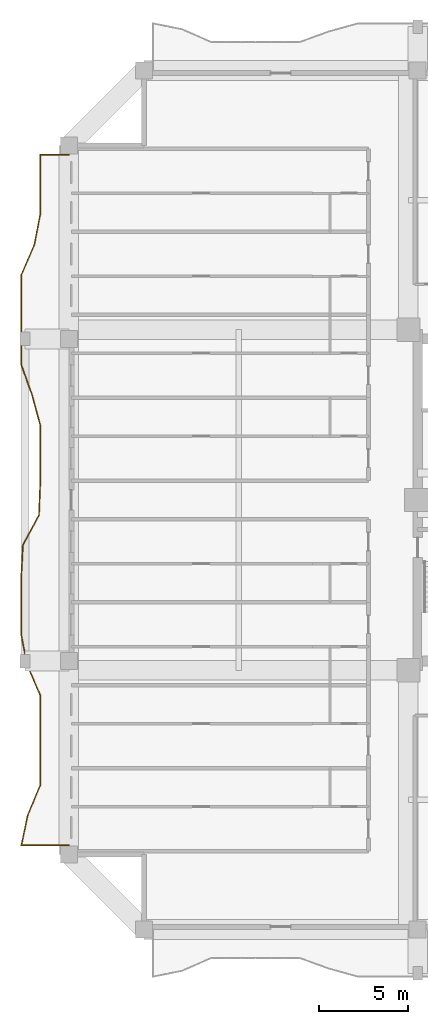
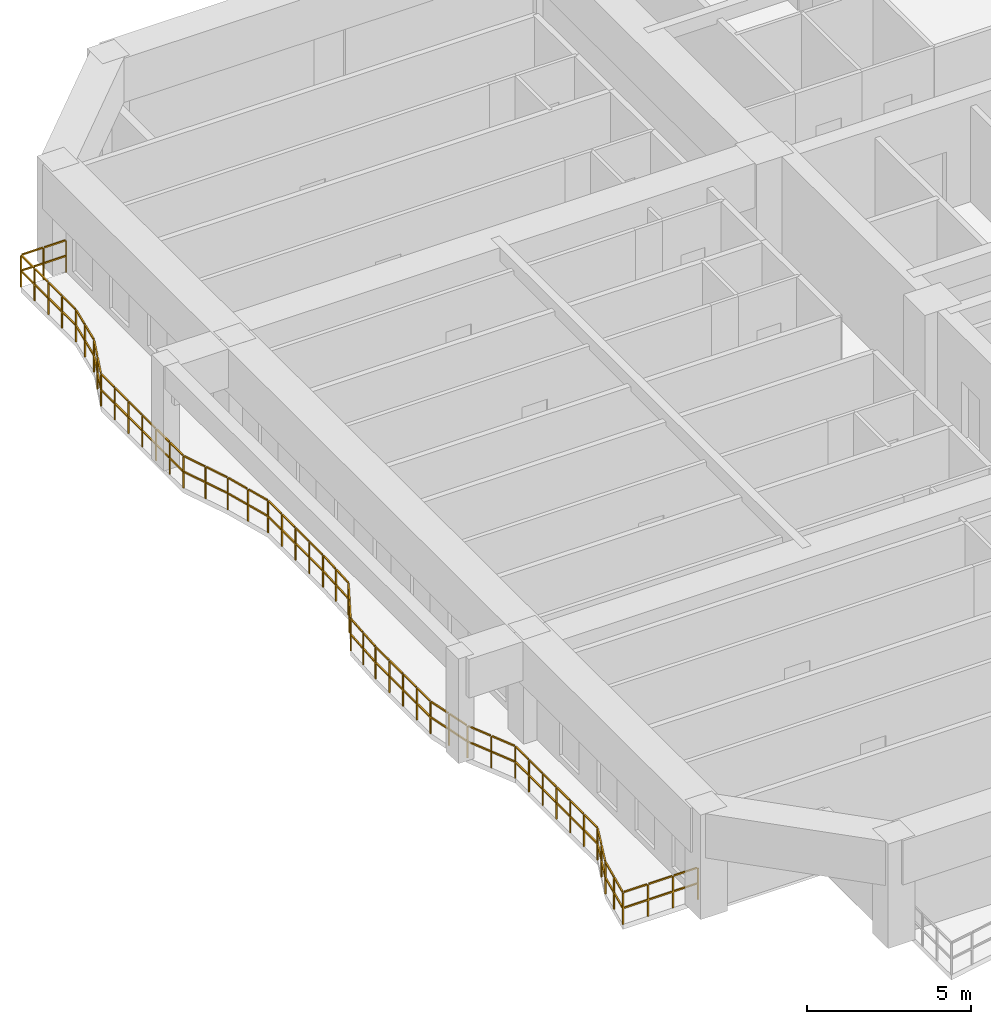
# One storey, part 10 of 13: 1 railing.
"""IFC4 building model written with IfcOpenShell, lengths in metres."""

from ifc_helpers import new_model, si_unit, direction, frame, origin, origin_2d, place, context, subcontext, project, spatial, rectangle, extrude, material, type_object, element, save


model = new_model("IFC4")

# Units and contexts
model_context = context("Model", 3, precision=1e-05, world=origin(), true_north=direction((0.0, 1.0)))
body_context = subcontext(model_context, "Body", "Model", "MODEL_VIEW")
ifc_project = project(units=[si_unit("LENGTHUNIT", "METRE"), si_unit("AREAUNIT", "SQUARE_METRE"), si_unit("VOLUMEUNIT", "CUBIC_METRE"), si_unit("PLANEANGLEUNIT", "RADIAN"), si_unit("MASSUNIT", "GRAM", prefix="KILO")], contexts=[model_context])

# Site, building, storey
site_placement = place(None, origin())
site = spatial("IfcSite", under=ifc_project, at=site_placement, CompositionType="ELEMENT")
building_placement = place(site_placement, origin())
building = spatial("IfcBuilding", under=site, at=building_placement, Name="Saelheon Loggia Tower", CompositionType="ELEMENT")
storey_placement = place(building_placement, frame((0.0, 0.0, 122.85009765625)))
storey = spatial("IfcBuildingStorey", under=building, at=storey_placement, Name="L39", CompositionType="ELEMENT", Elevation=122.85009765625)

# Railing
ifc_material = material(Name="Architectural Precast Concrete and Laminated Glass Guard", Category="concrete")
railing_type = type_object("IfcRailingType", Name="Guard_Loggia_RL_LOG", PredefinedType="BALUSTRADE", material=ifc_material)
railing_placement = place(storey_placement, frame((12.0, 46.300048828125, 0.0)))
element("IfcRailing", 1, at=railing_placement, inside=storey, type_object=railing_type, Name="L39 West Loggia Balustrade", PredefinedType="BALUSTRADE", context=body_context, shape_type="SweptSolid", body=[
    extrude(rectangle(XDim=0.048095703125, YDim=0.048095703125, at=origin_2d()), frame((-0.033203125, 0.0, 1.19580078125), z_axis=(-1.0, 0.0, 0.0), x_axis=(0.0, -1.0, 0.0)), (0.0, 0.0, 1.0), 0.733642578125),
    extrude(rectangle(XDim=0.048095703125, YDim=0.048095703125, at=origin_2d()), frame((-0.033203125, 0.0, 0.60986328125), z_axis=(-1.0, 0.0, 0.0), x_axis=(0.0, -1.0, 0.0)), (0.0, 0.0, 1.0), 0.733642578125),
    extrude(rectangle(XDim=0.048095703125, YDim=0.048095703125, at=origin_2d()), frame((-0.833251953125, 0.0, 1.19580078125), z_axis=(-1.0, 0.0, 0.0), x_axis=(0.0, -1.0, 0.0)), (0.0, 0.0, 1.0), 0.733642578125),
    extrude(rectangle(XDim=0.048095703125, YDim=0.048095703125, at=origin_2d()), frame((-0.833251953125, 0.0, 0.60986328125), z_axis=(-1.0, 0.0, 0.0), x_axis=(0.0, -1.0, 0.0)), (0.0, 0.0, 1.0), 0.733642578125),
    extrude(rectangle(XDim=0.048095703125, YDim=0.048095703125, at=origin_2d()), frame((-1.60009765625, -0.033203125, 1.19580078125), z_axis=(0.0, -1.0, 0.0), x_axis=(1.0, 0.0, 0.0)), (0.0, 0.0, 1.0), 0.772705078125),
    extrude(rectangle(XDim=0.048095703125, YDim=0.048095703125, at=origin_2d()), frame((-1.60009765625, -0.033203125, 0.60986328125), z_axis=(0.0, -1.0, 0.0), x_axis=(1.0, 0.0, 0.0)), (0.0, 0.0, 1.0), 0.772705078125),
    extrude(rectangle(XDim=0.048095703125, YDim=0.048095703125, at=origin_2d()), frame((-1.60009765625, -0.87255859375, 1.19580078125), z_axis=(0.0, -1.0, 0.0), x_axis=(1.0, 0.0, 0.0)), (0.0, 0.0, 1.0), 0.772705078125),
    extrude(rectangle(XDim=0.048095703125, YDim=0.048095703125, at=origin_2d()), frame((-1.60009765625, -0.87255859375, 0.60986328125), z_axis=(0.0, -1.0, 0.0), x_axis=(1.0, 0.0, 0.0)), (0.0, 0.0, 1.0), 0.772705078125),
    extrude(rectangle(XDim=0.048095703125, YDim=0.048095703125, at=origin_2d()), frame((-1.60009765625, -1.711669921875, 1.19580078125), z_axis=(0.0, -1.0, 0.0), x_axis=(1.0, 0.0, 0.0)), (0.0, 0.0, 1.0), 0.7724609375),
    extrude(rectangle(XDim=0.048095703125, YDim=0.048095703125, at=origin_2d()), frame((-1.60009765625, -1.711669921875, 0.60986328125), z_axis=(0.0, -1.0, 0.0), x_axis=(1.0, 0.0, 0.0)), (0.0, 0.0, 1.0), 0.7724609375),
    extrude(rectangle(XDim=0.048095703125, YDim=0.048095703125, at=origin_2d()), frame((-1.60009765625, -2.55078125, 1.19580078125), z_axis=(0.0, -1.0, 0.0), x_axis=(1.0, 0.0, 0.0)), (0.0, 0.0, 1.0), 0.7724609375),
    extrude(rectangle(XDim=0.048095703125, YDim=0.048095703125, at=origin_2d()), frame((-1.60009765625, -2.55078125, 0.60986328125), z_axis=(0.0, -1.0, 0.0), x_axis=(1.0, 0.0, 0.0)), (0.0, 0.0, 1.0), 0.7724609375),
    extrude(rectangle(XDim=0.048095703125, YDim=0.048095703125, at=origin_2d()), frame((-1.6064453125, -3.38916015625, 1.19580078125), z_axis=(-0.190208387004, -0.981743739228, 0.0), x_axis=(0.981743739228, -0.190208387004, 0.0)), (0.0, 0.0, 1.0), 0.788330078125),
    extrude(rectangle(XDim=0.048095703125, YDim=0.048095703125, at=origin_2d()), frame((-1.6064453125, -3.38916015625, 0.60986328125), z_axis=(-0.190208387004, -0.981743739228, 0.0), x_axis=(0.981743739228, -0.190208387004, 0.0)), (0.0, 0.0, 1.0), 0.788330078125),
    extrude(rectangle(XDim=0.048095703125, YDim=0.048095703125, at=origin_2d()), frame((-1.76904296875, -4.228271484375, 1.19580078125), z_axis=(-0.190208387004, -0.981743739228, 0.0), x_axis=(0.981743739228, -0.190208387004, 0.0)), (0.0, 0.0, 1.0), 0.788330078125),
    extrude(rectangle(XDim=0.048095703125, YDim=0.048095703125, at=origin_2d()), frame((-1.76904296875, -4.228271484375, 0.60986328125), z_axis=(-0.190208387004, -0.981743739228, 0.0), x_axis=(0.981743739228, -0.190208387004, 0.0)), (0.0, 0.0, 1.0), 0.788330078125),
    extrude(rectangle(XDim=0.048095703125, YDim=0.048095703125, at=origin_2d()), frame((-1.9384765625, -5.0654296875, 1.19580078125), z_axis=(-0.396400198959, -0.918077819286, 0.0), x_axis=(0.918077819286, -0.396400198959, 0.0)), (0.0, 0.0, 1.0), 0.847412109375),
    extrude(rectangle(XDim=0.048095703125, YDim=0.048095703125, at=origin_2d()), frame((-1.9384765625, -5.0654296875, 0.60986328125), z_axis=(-0.396400198959, -0.918077819286, 0.0), x_axis=(0.918077819286, -0.396400198959, 0.0)), (0.0, 0.0, 1.0), 0.847412109375),
    extrude(rectangle(XDim=0.048095703125, YDim=0.048095703125, at=origin_2d()), frame((-2.30078125, -5.904541015625, 1.19580078125), z_axis=(-0.396400198959, -0.918077819286, 0.0), x_axis=(0.918077819286, -0.396400198959, 0.0)), (0.0, 0.0, 1.0), 0.847412109375),
    extrude(rectangle(XDim=0.048095703125, YDim=0.048095703125, at=origin_2d()), frame((-2.30078125, -5.904541015625, 0.60986328125), z_axis=(-0.396400198959, -0.918077819286, 0.0), x_axis=(0.918077819286, -0.396400198959, 0.0)), (0.0, 0.0, 1.0), 0.847412109375),
    extrude(rectangle(XDim=0.048095703125, YDim=0.048095703125, at=origin_2d()), frame((-2.64990234375, -6.746337890625, 1.19580078125), z_axis=(0.0, -1.0, 0.0), x_axis=(1.0, 0.0, 0.0)), (0.0, 0.0, 1.0), 0.772705078125),
    extrude(rectangle(XDim=0.048095703125, YDim=0.048095703125, at=origin_2d()), frame((-2.64990234375, -6.746337890625, 0.60986328125), z_axis=(0.0, -1.0, 0.0), x_axis=(1.0, 0.0, 0.0)), (0.0, 0.0, 1.0), 0.772705078125),
    extrude(rectangle(XDim=0.048095703125, YDim=0.048095703125, at=origin_2d()), frame((-2.64990234375, -7.58544921875, 1.19580078125), z_axis=(0.0, -1.0, 0.0), x_axis=(1.0, 0.0, 0.0)), (0.0, 0.0, 1.0), 0.772705078125),
    extrude(rectangle(XDim=0.048095703125, YDim=0.048095703125, at=origin_2d()), frame((-2.64990234375, -7.58544921875, 0.60986328125), z_axis=(0.0, -1.0, 0.0), x_axis=(1.0, 0.0, 0.0)), (0.0, 0.0, 1.0), 0.772705078125),
    extrude(rectangle(XDim=0.048095703125, YDim=0.048095703125, at=origin_2d()), frame((-2.64990234375, -8.424560546875, 1.19580078125), z_axis=(0.0, -1.0, 0.0), x_axis=(1.0, 0.0, 0.0)), (0.0, 0.0, 1.0), 0.772705078125),
    extrude(rectangle(XDim=0.048095703125, YDim=0.048095703125, at=origin_2d()), frame((-2.64990234375, -8.424560546875, 0.60986328125), z_axis=(0.0, -1.0, 0.0), x_axis=(1.0, 0.0, 0.0)), (0.0, 0.0, 1.0), 0.772705078125),
    extrude(rectangle(XDim=0.048095703125, YDim=0.048095703125, at=origin_2d()), frame((-2.64990234375, -9.263671875, 1.19580078125), z_axis=(0.0, -1.0, 0.0), x_axis=(1.0, 0.0, 0.0)), (0.0, 0.0, 1.0), 0.772705078125),
    extrude(rectangle(XDim=0.048095703125, YDim=0.048095703125, at=origin_2d()), frame((-2.64990234375, -9.263671875, 0.60986328125), z_axis=(0.0, -1.0, 0.0), x_axis=(1.0, 0.0, 0.0)), (0.0, 0.0, 1.0), 0.772705078125),
    extrude(rectangle(XDim=0.048095703125, YDim=0.048095703125, at=origin_2d()), frame((-2.64990234375, -10.102783203125, 1.19580078125), z_axis=(0.0, -1.0, 0.0), x_axis=(1.0, 0.0, 0.0)), (0.0, 0.0, 1.0), 0.772705078125),
    extrude(rectangle(XDim=0.048095703125, YDim=0.048095703125, at=origin_2d()), frame((-2.64990234375, -10.102783203125, 0.60986328125), z_axis=(0.0, -1.0, 0.0), x_axis=(1.0, 0.0, 0.0)), (0.0, 0.0, 1.0), 0.772705078125),
    extrude(rectangle(XDim=0.048095703125, YDim=0.048095703125, at=origin_2d()), frame((-2.64990234375, -10.94189453125, 1.19580078125), z_axis=(0.0, -1.0, 0.0), x_axis=(1.0, 0.0, 0.0)), (0.0, 0.0, 1.0), 0.772705078125),
    extrude(rectangle(XDim=0.048095703125, YDim=0.048095703125, at=origin_2d()), frame((-2.64990234375, -10.94189453125, 0.60986328125), z_axis=(0.0, -1.0, 0.0), x_axis=(1.0, 0.0, 0.0)), (0.0, 0.0, 1.0), 0.772705078125),
    extrude(rectangle(XDim=0.048095703125, YDim=0.048095703125, at=origin_2d()), frame((-2.638671875, -11.779052734375, 1.19580078125), z_axis=(0.334468754842, -0.942406839976, 0.0), x_axis=(0.942406839976, 0.334468754842, 0.0)), (0.0, 0.0, 1.0), 0.823974609375),
    extrude(rectangle(XDim=0.048095703125, YDim=0.048095703125, at=origin_2d()), frame((-2.638671875, -11.779052734375, 0.60986328125), z_axis=(0.334468754842, -0.942406839976, 0.0), x_axis=(0.942406839976, 0.334468754842, 0.0)), (0.0, 0.0, 1.0), 0.823974609375),
    extrude(rectangle(XDim=0.048095703125, YDim=0.048095703125, at=origin_2d()), frame((-2.3408203125, -12.618408203125, 1.19580078125), z_axis=(0.334468754842, -0.942406839976, 0.0), x_axis=(0.942406839976, 0.334468754842, 0.0)), (0.0, 0.0, 1.0), 0.823974609375),
    extrude(rectangle(XDim=0.048095703125, YDim=0.048095703125, at=origin_2d()), frame((-2.3408203125, -12.618408203125, 0.60986328125), z_axis=(0.334468754842, -0.942406839976, 0.0), x_axis=(0.942406839976, 0.334468754842, 0.0)), (0.0, 0.0, 1.0), 0.823974609375),
    extrude(rectangle(XDim=0.048095703125, YDim=0.048095703125, at=origin_2d()), frame((-2.04541015625, -13.458251953125, 1.19580078125), z_axis=(0.261227378057, -0.965277295368, 0.0), x_axis=(0.965277295368, 0.261227378057, 0.0)), (0.0, 0.0, 1.0), 0.802734375),
    extrude(rectangle(XDim=0.048095703125, YDim=0.048095703125, at=origin_2d()), frame((-2.04541015625, -13.458251953125, 0.60986328125), z_axis=(0.261227378057, -0.965277295368, 0.0), x_axis=(0.965277295368, 0.261227378057, 0.0)), (0.0, 0.0, 1.0), 0.802734375),
    extrude(rectangle(XDim=0.048095703125, YDim=0.048095703125, at=origin_2d()), frame((-1.818359375, -14.29736328125, 1.19580078125), z_axis=(0.261227378057, -0.965277295368, 0.0), x_axis=(0.965277295368, 0.261227378057, 0.0)), (0.0, 0.0, 1.0), 0.802734375),
    extrude(rectangle(XDim=0.048095703125, YDim=0.048095703125, at=origin_2d()), frame((-1.818359375, -14.29736328125, 0.60986328125), z_axis=(0.261227378057, -0.965277295368, 0.0), x_axis=(0.965277295368, 0.261227378057, 0.0)), (0.0, 0.0, 1.0), 0.802734375),
    extrude(rectangle(XDim=0.048095703125, YDim=0.048095703125, at=origin_2d()), frame((-1.60009765625, -15.137451171875, 1.19580078125), z_axis=(0.0, -1.0, 0.0), x_axis=(1.0, 0.0, 0.0)), (0.0, 0.0, 1.0), 0.772705078125),
    extrude(rectangle(XDim=0.048095703125, YDim=0.048095703125, at=origin_2d()), frame((-1.60009765625, -15.137451171875, 0.60986328125), z_axis=(0.0, -1.0, 0.0), x_axis=(1.0, 0.0, 0.0)), (0.0, 0.0, 1.0), 0.772705078125),
    extrude(rectangle(XDim=0.048095703125, YDim=0.048095703125, at=origin_2d()), frame((-1.60009765625, -15.976806640625, 1.19580078125), z_axis=(0.0, -1.0, 0.0), x_axis=(1.0, 0.0, 0.0)), (0.0, 0.0, 1.0), 0.772705078125),
    extrude(rectangle(XDim=0.048095703125, YDim=0.048095703125, at=origin_2d()), frame((-1.60009765625, -15.976806640625, 0.60986328125), z_axis=(0.0, -1.0, 0.0), x_axis=(1.0, 0.0, 0.0)), (0.0, 0.0, 1.0), 0.772705078125),
    extrude(rectangle(XDim=0.048095703125, YDim=0.048095703125, at=origin_2d()), frame((-1.60009765625, -16.81591796875, 1.19580078125), z_axis=(0.0, -1.0, 0.0), x_axis=(1.0, 0.0, 0.0)), (0.0, 0.0, 1.0), 0.772705078125),
    extrude(rectangle(XDim=0.048095703125, YDim=0.048095703125, at=origin_2d()), frame((-1.60009765625, -16.81591796875, 0.60986328125), z_axis=(0.0, -1.0, 0.0), x_axis=(1.0, 0.0, 0.0)), (0.0, 0.0, 1.0), 0.772705078125),
    extrude(rectangle(XDim=0.048095703125, YDim=0.048095703125, at=origin_2d()), frame((-1.60009765625, -17.655029296875, 1.19580078125), z_axis=(0.0, -1.0, 0.0), x_axis=(1.0, 0.0, 0.0)), (0.0, 0.0, 1.0), 0.772705078125),
    extrude(rectangle(XDim=0.048095703125, YDim=0.048095703125, at=origin_2d()), frame((-1.60009765625, -17.655029296875, 0.60986328125), z_axis=(0.0, -1.0, 0.0), x_axis=(1.0, 0.0, 0.0)), (0.0, 0.0, 1.0), 0.772705078125),
    extrude(rectangle(XDim=0.048095703125, YDim=0.048095703125, at=origin_2d()), frame((-1.601318359375, -18.494140625, 1.19580078125), z_axis=(-0.039103035271, -0.999235183844, 0.0), x_axis=(0.999235183844, -0.039103035271, 0.0)), (0.0, 0.0, 1.0), 0.773193359375),
    extrude(rectangle(XDim=0.048095703125, YDim=0.048095703125, at=origin_2d()), frame((-1.601318359375, -18.494140625, 0.60986328125), z_axis=(-0.039103035271, -0.999235183844, 0.0), x_axis=(0.999235183844, -0.039103035271, 0.0)), (0.0, 0.0, 1.0), 0.773193359375),
    extrude(rectangle(XDim=0.048095703125, YDim=0.048095703125, at=origin_2d()), frame((-1.63427734375, -19.333251953125, 1.19580078125), z_axis=(-0.039103035271, -0.999235183844, 0.0), x_axis=(0.999235183844, -0.039103035271, 0.0)), (0.0, 0.0, 1.0), 0.773193359375),
    extrude(rectangle(XDim=0.048095703125, YDim=0.048095703125, at=origin_2d()), frame((-1.63427734375, -19.333251953125, 0.60986328125), z_axis=(-0.039103035271, -0.999235183844, 0.0), x_axis=(0.999235183844, -0.039103035271, 0.0)), (0.0, 0.0, 1.0), 0.773193359375),
    extrude(rectangle(XDim=0.048095703125, YDim=0.048095703125, at=origin_2d()), frame((-1.681396484375, -20.16845703125, 1.19580078125), z_axis=(-0.470474964031, -0.882413343179, 0.0), x_axis=(0.882413343179, -0.470474964031, 0.0)), (0.0, 0.0, 1.0), 0.884521484375),
    extrude(rectangle(XDim=0.048095703125, YDim=0.048095703125, at=origin_2d()), frame((-1.681396484375, -20.16845703125, 0.60986328125), z_axis=(-0.470474964031, -0.882413343179, 0.0), x_axis=(0.882413343179, -0.470474964031, 0.0)), (0.0, 0.0, 1.0), 0.884521484375),
    extrude(rectangle(XDim=0.048095703125, YDim=0.048095703125, at=origin_2d()), frame((-2.12890625, -21.007568359375, 1.19580078125), z_axis=(-0.470474964031, -0.882413343179, 0.0), x_axis=(0.882413343179, -0.470474964031, 0.0)), (0.0, 0.0, 1.0), 0.884521484375),
    extrude(rectangle(XDim=0.048095703125, YDim=0.048095703125, at=origin_2d()), frame((-2.12890625, -21.007568359375, 0.60986328125), z_axis=(-0.470474964031, -0.882413343179, 0.0), x_axis=(0.882413343179, -0.470474964031, 0.0)), (0.0, 0.0, 1.0), 0.884521484375),
    extrude(rectangle(XDim=0.048095703125, YDim=0.048095703125, at=origin_2d()), frame((-2.562255859375, -21.8505859375, 1.19580078125), z_axis=(-0.053161084744, -0.998585949765, 0.0), x_axis=(0.998585949765, -0.053161084744, 0.0)), (0.0, 0.0, 1.0), 0.77392578125),
    extrude(rectangle(XDim=0.048095703125, YDim=0.048095703125, at=origin_2d()), frame((-2.562255859375, -21.8505859375, 0.60986328125), z_axis=(-0.053161084744, -0.998585949765, 0.0), x_axis=(0.998585949765, -0.053161084744, 0.0)), (0.0, 0.0, 1.0), 0.77392578125),
    extrude(rectangle(XDim=0.048095703125, YDim=0.048095703125, at=origin_2d()), frame((-2.60693359375, -22.689697265625, 1.19580078125), z_axis=(-0.053161084744, -0.998585949765, 0.0), x_axis=(0.998585949765, -0.053161084744, 0.0)), (0.0, 0.0, 1.0), 0.77392578125),
    extrude(rectangle(XDim=0.048095703125, YDim=0.048095703125, at=origin_2d()), frame((-2.60693359375, -22.689697265625, 0.60986328125), z_axis=(-0.053161084744, -0.998585949765, 0.0), x_axis=(0.998585949765, -0.053161084744, 0.0)), (0.0, 0.0, 1.0), 0.77392578125),
    extrude(rectangle(XDim=0.048095703125, YDim=0.048095703125, at=origin_2d()), frame((-2.64990234375, -23.529052734375, 1.19580078125), z_axis=(0.0, -1.0, 0.0), x_axis=(1.0, 0.0, 0.0)), (0.0, 0.0, 1.0), 0.7724609375),
    extrude(rectangle(XDim=0.048095703125, YDim=0.048095703125, at=origin_2d()), frame((-2.64990234375, -23.529052734375, 0.60986328125), z_axis=(0.0, -1.0, 0.0), x_axis=(1.0, 0.0, 0.0)), (0.0, 0.0, 1.0), 0.7724609375),
    extrude(rectangle(XDim=0.048095703125, YDim=0.048095703125, at=origin_2d()), frame((-2.64990234375, -24.3681640625, 1.19580078125), z_axis=(0.0, -1.0, 0.0), x_axis=(1.0, 0.0, 0.0)), (0.0, 0.0, 1.0), 0.7724609375),
    extrude(rectangle(XDim=0.048095703125, YDim=0.048095703125, at=origin_2d()), frame((-2.64990234375, -24.3681640625, 0.60986328125), z_axis=(0.0, -1.0, 0.0), x_axis=(1.0, 0.0, 0.0)), (0.0, 0.0, 1.0), 0.7724609375),
    extrude(rectangle(XDim=0.048095703125, YDim=0.048095703125, at=origin_2d()), frame((-2.64990234375, -25.20703125, 1.19580078125), z_axis=(0.0, -1.0, 0.0), x_axis=(1.0, 0.0, 0.0)), (0.0, 0.0, 1.0), 0.772705078125),
    extrude(rectangle(XDim=0.048095703125, YDim=0.048095703125, at=origin_2d()), frame((-2.64990234375, -25.20703125, 0.60986328125), z_axis=(0.0, -1.0, 0.0), x_axis=(1.0, 0.0, 0.0)), (0.0, 0.0, 1.0), 0.772705078125),
    extrude(rectangle(XDim=0.048095703125, YDim=0.048095703125, at=origin_2d()), frame((-2.64990234375, -26.04638671875, 1.19580078125), z_axis=(0.0, -1.0, 0.0), x_axis=(1.0, 0.0, 0.0)), (0.0, 0.0, 1.0), 0.772705078125),
    extrude(rectangle(XDim=0.048095703125, YDim=0.048095703125, at=origin_2d()), frame((-2.64990234375, -26.04638671875, 0.60986328125), z_axis=(0.0, -1.0, 0.0), x_axis=(1.0, 0.0, 0.0)), (0.0, 0.0, 1.0), 0.772705078125),
    extrude(rectangle(XDim=0.048095703125, YDim=0.048095703125, at=origin_2d()), frame((-2.6435546875, -26.885009765625, 1.19580078125), z_axis=(0.191060757648, -0.981578212313, 0.0), x_axis=(0.981578212313, 0.191060757648, 0.0)), (0.0, 0.0, 1.0), 0.788330078125),
    extrude(rectangle(XDim=0.048095703125, YDim=0.048095703125, at=origin_2d()), frame((-2.6435546875, -26.885009765625, 0.60986328125), z_axis=(0.191060757648, -0.981578212313, 0.0), x_axis=(0.981578212313, 0.191060757648, 0.0)), (0.0, 0.0, 1.0), 0.788330078125),
    extrude(rectangle(XDim=0.048095703125, YDim=0.048095703125, at=origin_2d()), frame((-2.480224609375, -27.72412109375, 1.19580078125), z_axis=(0.191060757648, -0.981578212313, 0.0), x_axis=(0.981578212313, 0.191060757648, 0.0)), (0.0, 0.0, 1.0), 0.788330078125),
    extrude(rectangle(XDim=0.048095703125, YDim=0.048095703125, at=origin_2d()), frame((-2.480224609375, -27.72412109375, 0.60986328125), z_axis=(0.191060757648, -0.981578212313, 0.0), x_axis=(0.981578212313, 0.191060757648, 0.0)), (0.0, 0.0, 1.0), 0.788330078125),
    extrude(rectangle(XDim=0.048095703125, YDim=0.048095703125, at=origin_2d()), frame((-2.31005859375, -28.56103515625, 1.19580078125), z_axis=(0.395724447391, -0.918369294857, 0.0), x_axis=(0.918369294857, 0.395724447391, 0.0)), (0.0, 0.0, 1.0), 0.84716796875),
    extrude(rectangle(XDim=0.048095703125, YDim=0.048095703125, at=origin_2d()), frame((-2.31005859375, -28.56103515625, 0.60986328125), z_axis=(0.395724447391, -0.918369294857, 0.0), x_axis=(0.918369294857, 0.395724447391, 0.0)), (0.0, 0.0, 1.0), 0.84716796875),
    extrude(rectangle(XDim=0.048095703125, YDim=0.048095703125, at=origin_2d()), frame((-1.948486328125, -29.400146484375, 1.19580078125), z_axis=(0.395724447391, -0.918369294857, 0.0), x_axis=(0.918369294857, 0.395724447391, 0.0)), (0.0, 0.0, 1.0), 0.84716796875),
    extrude(rectangle(XDim=0.048095703125, YDim=0.048095703125, at=origin_2d()), frame((-1.948486328125, -29.400146484375, 0.60986328125), z_axis=(0.395724447391, -0.918369294857, 0.0), x_axis=(0.918369294857, 0.395724447391, 0.0)), (0.0, 0.0, 1.0), 0.84716796875),
    extrude(rectangle(XDim=0.048095703125, YDim=0.048095703125, at=origin_2d()), frame((-1.60009765625, -30.241943359375, 1.19580078125), z_axis=(0.0, -1.0, 0.0), x_axis=(1.0, 0.0, 0.0)), (0.0, 0.0, 1.0), 0.772705078125),
    extrude(rectangle(XDim=0.048095703125, YDim=0.048095703125, at=origin_2d()), frame((-1.60009765625, -30.241943359375, 0.60986328125), z_axis=(0.0, -1.0, 0.0), x_axis=(1.0, 0.0, 0.0)), (0.0, 0.0, 1.0), 0.772705078125),
    extrude(rectangle(XDim=0.048095703125, YDim=0.048095703125, at=origin_2d()), frame((-1.60009765625, -31.0810546875, 1.19580078125), z_axis=(0.0, -1.0, 0.0), x_axis=(1.0, 0.0, 0.0)), (0.0, 0.0, 1.0), 0.772705078125),
    extrude(rectangle(XDim=0.048095703125, YDim=0.048095703125, at=origin_2d()), frame((-1.60009765625, -31.0810546875, 0.60986328125), z_axis=(0.0, -1.0, 0.0), x_axis=(1.0, 0.0, 0.0)), (0.0, 0.0, 1.0), 0.772705078125),
    extrude(rectangle(XDim=0.048095703125, YDim=0.048095703125, at=origin_2d()), frame((-1.60009765625, -31.920166015625, 1.19580078125), z_axis=(0.0, -1.0, 0.0), x_axis=(1.0, 0.0, 0.0)), (0.0, 0.0, 1.0), 0.772705078125),
    extrude(rectangle(XDim=0.048095703125, YDim=0.048095703125, at=origin_2d()), frame((-1.60009765625, -31.920166015625, 0.60986328125), z_axis=(0.0, -1.0, 0.0), x_axis=(1.0, 0.0, 0.0)), (0.0, 0.0, 1.0), 0.772705078125),
    extrude(rectangle(XDim=0.048095703125, YDim=0.048095703125, at=origin_2d()), frame((-1.60009765625, -32.75927734375, 1.19580078125), z_axis=(0.0, -1.0, 0.0), x_axis=(1.0, 0.0, 0.0)), (0.0, 0.0, 1.0), 0.772705078125),
    extrude(rectangle(XDim=0.048095703125, YDim=0.048095703125, at=origin_2d()), frame((-1.60009765625, -32.75927734375, 0.60986328125), z_axis=(0.0, -1.0, 0.0), x_axis=(1.0, 0.0, 0.0)), (0.0, 0.0, 1.0), 0.772705078125),
    extrude(rectangle(XDim=0.048095703125, YDim=0.048095703125, at=origin_2d()), frame((-1.60009765625, -33.598388671875, 1.19580078125), z_axis=(0.0, -1.0, 0.0), x_axis=(1.0, 0.0, 0.0)), (0.0, 0.0, 1.0), 0.772705078125),
    extrude(rectangle(XDim=0.048095703125, YDim=0.048095703125, at=origin_2d()), frame((-1.60009765625, -33.598388671875, 0.60986328125), z_axis=(0.0, -1.0, 0.0), x_axis=(1.0, 0.0, 0.0)), (0.0, 0.0, 1.0), 0.772705078125),
    extrude(rectangle(XDim=0.048095703125, YDim=0.048095703125, at=origin_2d()), frame((-1.60009765625, -34.437744140625, 1.19580078125), z_axis=(0.0, -1.0, 0.0), x_axis=(1.0, 0.0, 0.0)), (0.0, 0.0, 1.0), 0.772705078125),
    extrude(rectangle(XDim=0.048095703125, YDim=0.048095703125, at=origin_2d()), frame((-1.60009765625, -34.437744140625, 0.60986328125), z_axis=(0.0, -1.0, 0.0), x_axis=(1.0, 0.0, 0.0)), (0.0, 0.0, 1.0), 0.772705078125),
    extrude(rectangle(XDim=0.048095703125, YDim=0.048095703125, at=origin_2d()), frame((-1.61279296875, -35.2744140625, 1.19580078125), z_axis=(-0.383842529392, -0.923398566508, 0.0), x_axis=(0.923398566508, -0.383842529392, 0.0)), (0.0, 0.0, 1.0), 0.842041015625),
    extrude(rectangle(XDim=0.048095703125, YDim=0.048095703125, at=origin_2d()), frame((-1.61279296875, -35.2744140625, 0.60986328125), z_axis=(-0.383842529392, -0.923398566508, 0.0), x_axis=(0.923398566508, -0.383842529392, 0.0)), (0.0, 0.0, 1.0), 0.842041015625),
    extrude(rectangle(XDim=0.048095703125, YDim=0.048095703125, at=origin_2d()), frame((-1.961669921875, -36.11328125, 1.19580078125), z_axis=(-0.383842529392, -0.923398566508, 0.0), x_axis=(0.923398566508, -0.383842529392, 0.0)), (0.0, 0.0, 1.0), 0.842041015625),
    extrude(rectangle(XDim=0.048095703125, YDim=0.048095703125, at=origin_2d()), frame((-1.961669921875, -36.11328125, 0.60986328125), z_axis=(-0.383842529392, -0.923398566508, 0.0), x_axis=(0.923398566508, -0.383842529392, 0.0)), (0.0, 0.0, 1.0), 0.842041015625),
    extrude(rectangle(XDim=0.048095703125, YDim=0.048095703125, at=origin_2d()), frame((-2.304443359375, -36.9541015625, 1.19580078125), z_axis=(-0.205414978073, -0.978674964829, 0.0), x_axis=(0.978674964829, -0.205414978073, 0.0)), (0.0, 0.0, 1.0), 0.791015625),
    extrude(rectangle(XDim=0.048095703125, YDim=0.048095703125, at=origin_2d()), frame((-2.304443359375, -36.9541015625, 0.60986328125), z_axis=(-0.205414978073, -0.978674964829, 0.0), x_axis=(0.978674964829, -0.205414978073, 0.0)), (0.0, 0.0, 1.0), 0.791015625),
    extrude(rectangle(XDim=0.048095703125, YDim=0.048095703125, at=origin_2d()), frame((-2.48046875, -37.79345703125, 1.19580078125), z_axis=(-0.205414978073, -0.978674964829, 0.0), x_axis=(0.978674964829, -0.205414978073, 0.0)), (0.0, 0.0, 1.0), 0.791015625),
    extrude(rectangle(XDim=0.048095703125, YDim=0.048095703125, at=origin_2d()), frame((-2.48046875, -37.79345703125, 0.60986328125), z_axis=(-0.205414978073, -0.978674964829, 0.0), x_axis=(0.978674964829, -0.205414978073, 0.0)), (0.0, 0.0, 1.0), 0.791015625),
    extrude(rectangle(XDim=0.048095703125, YDim=0.048095703125, at=origin_2d()), frame((-2.61669921875, -38.60009765625, 1.19580078125), z_axis=(1.0, 0.0, 0.0), x_axis=(0.0, 1.0, 0.0)), (0.0, 0.0, 1.0), 0.81689453125),
    extrude(rectangle(XDim=0.048095703125, YDim=0.048095703125, at=origin_2d()), frame((-2.61669921875, -38.60009765625, 0.60986328125), z_axis=(1.0, 0.0, 0.0), x_axis=(0.0, 1.0, 0.0)), (0.0, 0.0, 1.0), 0.81689453125),
    extrude(rectangle(XDim=0.048095703125, YDim=0.048095703125, at=origin_2d()), frame((-1.7333984375, -38.60009765625, 1.19580078125), z_axis=(1.0, 0.0, 0.0), x_axis=(0.0, 1.0, 0.0)), (0.0, 0.0, 1.0), 0.81689453125),
    extrude(rectangle(XDim=0.048095703125, YDim=0.048095703125, at=origin_2d()), frame((-1.7333984375, -38.60009765625, 0.60986328125), z_axis=(1.0, 0.0, 0.0), x_axis=(0.0, 1.0, 0.0)), (0.0, 0.0, 1.0), 0.81689453125),
    extrude(rectangle(XDim=0.048095703125, YDim=0.048095703125, at=origin_2d()), frame((-0.85009765625, -38.60009765625, 1.19580078125), z_axis=(1.0, 0.0, 0.0), x_axis=(0.0, 1.0, 0.0)), (0.0, 0.0, 1.0), 0.81689453125),
    extrude(rectangle(XDim=0.048095703125, YDim=0.048095703125, at=origin_2d()), frame((-0.85009765625, -38.60009765625, 0.60986328125), z_axis=(1.0, 0.0, 0.0), x_axis=(0.0, 1.0, 0.0)), (0.0, 0.0, 1.0), 0.81689453125),
    extrude(rectangle(XDim=0.0419921875, YDim=0.0419921875, at=origin_2d()), origin(), (0.0, 0.0, 1.0), 1.16796875),
    extrude(rectangle(XDim=0.0419921875, YDim=0.0419921875, at=origin_2d()), frame((-0.800048828125, 0.0, 0.0)), (0.0, 0.0, 1.0), 1.16796875),
    extrude(rectangle(XDim=0.0419921875, YDim=0.0419921875, at=origin_2d()), frame((-1.60009765625, 0.0, 0.0)), (0.0, 0.0, 1.0), 1.16796875),
    extrude(rectangle(XDim=0.0419921875, YDim=0.0419921875, at=origin_2d()), frame((-1.60009765625, -0.83935546875, 0.0)), (0.0, 0.0, 1.0), 1.16796875),
    extrude(rectangle(XDim=0.0419921875, YDim=0.0419921875, at=origin_2d()), frame((-1.60009765625, -1.678466796875, 0.0)), (0.0, 0.0, 1.0), 1.16796875),
    extrude(rectangle(XDim=0.0419921875, YDim=0.0419921875, at=origin_2d()), frame((-1.60009765625, -2.517578125, 0.0)), (0.0, 0.0, 1.0), 1.16796875),
    extrude(rectangle(XDim=0.0419921875, YDim=0.0419921875, at=origin_2d()), frame((-1.60009765625, -3.3564453125, 0.0)), (0.0, 0.0, 1.0), 1.16796875),
    extrude(rectangle(XDim=0.0419921875, YDim=0.0419921875, at=origin_2d()), frame((-1.7626953125, -4.19580078125, 0.0)), (0.0, 0.0, 1.0), 1.16796875),
    extrude(rectangle(XDim=0.0419921875, YDim=0.0419921875, at=origin_2d()), frame((-1.92529296875, -5.034912109375, 0.0)), (0.0, 0.0, 1.0), 1.16796875),
    extrude(rectangle(XDim=0.0419921875, YDim=0.0419921875, at=origin_2d()), frame((-2.28759765625, -5.8740234375, 0.0)), (0.0, 0.0, 1.0), 1.16796875),
    extrude(rectangle(XDim=0.0419921875, YDim=0.0419921875, at=origin_2d()), frame((-2.64990234375, -6.713134765625, 0.0)), (0.0, 0.0, 1.0), 1.16796875),
    extrude(rectangle(XDim=0.0419921875, YDim=0.0419921875, at=origin_2d()), frame((-2.64990234375, -7.55224609375, 0.0)), (0.0, 0.0, 1.0), 1.16796875),
    extrude(rectangle(XDim=0.0419921875, YDim=0.0419921875, at=origin_2d()), frame((-2.64990234375, -8.391357421875, 0.0)), (0.0, 0.0, 1.0), 1.16796875),
    extrude(rectangle(XDim=0.0419921875, YDim=0.0419921875, at=origin_2d()), frame((-2.64990234375, -9.23046875, 0.0)), (0.0, 0.0, 1.0), 1.16796875),
    extrude(rectangle(XDim=0.0419921875, YDim=0.0419921875, at=origin_2d()), frame((-2.64990234375, -10.069580078125, 0.0)), (0.0, 0.0, 1.0), 1.16796875),
    extrude(rectangle(XDim=0.0419921875, YDim=0.0419921875, at=origin_2d()), frame((-2.64990234375, -10.90869140625, 0.0)), (0.0, 0.0, 1.0), 1.16796875),
    extrude(rectangle(XDim=0.0419921875, YDim=0.0419921875, at=origin_2d()), frame((-2.64990234375, -11.747802734375, 0.0)), (0.0, 0.0, 1.0), 1.16796875),
    extrude(rectangle(XDim=0.0419921875, YDim=0.0419921875, at=origin_2d()), frame((-2.35205078125, -12.5869140625, 0.0)), (0.0, 0.0, 1.0), 1.16796875),
    extrude(rectangle(XDim=0.0419921875, YDim=0.0419921875, at=origin_2d()), frame((-2.05419921875, -13.42626953125, 0.0)), (0.0, 0.0, 1.0), 1.16796875),
    extrude(rectangle(XDim=0.0419921875, YDim=0.0419921875, at=origin_2d()), frame((-1.8271484375, -14.26513671875, 0.0)), (0.0, 0.0, 1.0), 1.16796875),
    extrude(rectangle(XDim=0.0419921875, YDim=0.0419921875, at=origin_2d()), frame((-1.60009765625, -15.104248046875, 0.0)), (0.0, 0.0, 1.0), 1.16796875),
    extrude(rectangle(XDim=0.0419921875, YDim=0.0419921875, at=origin_2d()), frame((-1.60009765625, -15.943359375, 0.0)), (0.0, 0.0, 1.0), 1.16796875),
    extrude(rectangle(XDim=0.0419921875, YDim=0.0419921875, at=origin_2d()), frame((-1.60009765625, -16.78271484375, 0.0)), (0.0, 0.0, 1.0), 1.16796875),
    extrude(rectangle(XDim=0.0419921875, YDim=0.0419921875, at=origin_2d()), frame((-1.60009765625, -17.621826171875, 0.0)), (0.0, 0.0, 1.0), 1.16796875),
    extrude(rectangle(XDim=0.0419921875, YDim=0.0419921875, at=origin_2d()), frame((-1.60009765625, -18.4609375, 0.0)), (0.0, 0.0, 1.0), 1.16796875),
    extrude(rectangle(XDim=0.0419921875, YDim=0.0419921875, at=origin_2d()), frame((-1.6328125, -19.300048828125, 0.0)), (0.0, 0.0, 1.0), 1.16796875),
    extrude(rectangle(XDim=0.0419921875, YDim=0.0419921875, at=origin_2d()), frame((-1.665771484375, -20.13916015625, 0.0)), (0.0, 0.0, 1.0), 1.16796875),
    extrude(rectangle(XDim=0.0419921875, YDim=0.0419921875, at=origin_2d()), frame((-2.11328125, -20.978271484375, 0.0)), (0.0, 0.0, 1.0), 1.16796875),
    extrude(rectangle(XDim=0.0419921875, YDim=0.0419921875, at=origin_2d()), frame((-2.560546875, -21.8173828125, 0.0)), (0.0, 0.0, 1.0), 1.16796875),
    extrude(rectangle(XDim=0.0419921875, YDim=0.0419921875, at=origin_2d()), frame((-2.605224609375, -22.65673828125, 0.0)), (0.0, 0.0, 1.0), 1.16796875),
    extrude(rectangle(XDim=0.0419921875, YDim=0.0419921875, at=origin_2d()), frame((-2.64990234375, -23.495849609375, 0.0)), (0.0, 0.0, 1.0), 1.16796875),
    extrude(rectangle(XDim=0.0419921875, YDim=0.0419921875, at=origin_2d()), frame((-2.64990234375, -24.3349609375, 0.0)), (0.0, 0.0, 1.0), 1.16796875),
    extrude(rectangle(XDim=0.0419921875, YDim=0.0419921875, at=origin_2d()), frame((-2.64990234375, -25.173828125, 0.0)), (0.0, 0.0, 1.0), 1.16796875),
    extrude(rectangle(XDim=0.0419921875, YDim=0.0419921875, at=origin_2d()), frame((-2.64990234375, -26.01318359375, 0.0)), (0.0, 0.0, 1.0), 1.16796875),
    extrude(rectangle(XDim=0.0419921875, YDim=0.0419921875, at=origin_2d()), frame((-2.64990234375, -26.852294921875, 0.0)), (0.0, 0.0, 1.0), 1.16796875),
    extrude(rectangle(XDim=0.0419921875, YDim=0.0419921875, at=origin_2d()), frame((-2.486572265625, -27.69140625, 0.0)), (0.0, 0.0, 1.0), 1.16796875),
    extrude(rectangle(XDim=0.0419921875, YDim=0.0419921875, at=origin_2d()), frame((-2.3232421875, -28.530517578125, 0.0)), (0.0, 0.0, 1.0), 1.16796875),
    extrude(rectangle(XDim=0.0419921875, YDim=0.0419921875, at=origin_2d()), frame((-1.961669921875, -29.36962890625, 0.0)), (0.0, 0.0, 1.0), 1.16796875),
    extrude(rectangle(XDim=0.0419921875, YDim=0.0419921875, at=origin_2d()), frame((-1.60009765625, -30.208740234375, 0.0)), (0.0, 0.0, 1.0), 1.16796875),
    extrude(rectangle(XDim=0.0419921875, YDim=0.0419921875, at=origin_2d()), frame((-1.60009765625, -31.0478515625, 0.0)), (0.0, 0.0, 1.0), 1.16796875),
    extrude(rectangle(XDim=0.0419921875, YDim=0.0419921875, at=origin_2d()), frame((-1.60009765625, -31.886962890625, 0.0)), (0.0, 0.0, 1.0), 1.16796875),
    extrude(rectangle(XDim=0.0419921875, YDim=0.0419921875, at=origin_2d()), frame((-1.60009765625, -32.72607421875, 0.0)), (0.0, 0.0, 1.0), 1.16796875),
    extrude(rectangle(XDim=0.0419921875, YDim=0.0419921875, at=origin_2d()), frame((-1.60009765625, -33.565185546875, 0.0)), (0.0, 0.0, 1.0), 1.16796875),
    extrude(rectangle(XDim=0.0419921875, YDim=0.0419921875, at=origin_2d()), frame((-1.60009765625, -34.404296875, 0.0)), (0.0, 0.0, 1.0), 1.16796875),
    extrude(rectangle(XDim=0.0419921875, YDim=0.0419921875, at=origin_2d()), frame((-1.60009765625, -35.24365234375, 0.0)), (0.0, 0.0, 1.0), 1.16796875),
    extrude(rectangle(XDim=0.0419921875, YDim=0.0419921875, at=origin_2d()), frame((-1.94873046875, -36.08251953125, 0.0)), (0.0, 0.0, 1.0), 1.16796875),
    extrude(rectangle(XDim=0.0419921875, YDim=0.0419921875, at=origin_2d()), frame((-2.297607421875, -36.921630859375, 0.0)), (0.0, 0.0, 1.0), 1.16796875),
    extrude(rectangle(XDim=0.0419921875, YDim=0.0419921875, at=origin_2d()), frame((-2.4736328125, -37.7607421875, 0.0)), (0.0, 0.0, 1.0), 1.16796875),
    extrude(rectangle(XDim=0.0419921875, YDim=0.0419921875, at=origin_2d()), frame((-2.64990234375, -38.60009765625, 0.0)), (0.0, 0.0, 1.0), 1.16796875),
    extrude(rectangle(XDim=0.0419921875, YDim=0.0419921875, at=origin_2d()), frame((-1.7666015625, -38.60009765625, 0.0)), (0.0, 0.0, 1.0), 1.16796875),
    extrude(rectangle(XDim=0.0419921875, YDim=0.0419921875, at=origin_2d()), frame((-0.88330078125, -38.60009765625, 0.0)), (0.0, 0.0, 1.0), 1.16796875),
    extrude(rectangle(XDim=0.0419921875, YDim=0.0419921875, at=origin_2d()), frame((0.0, -38.60009765625, 0.0)), (0.0, 0.0, 1.0), 1.16796875),
])

save(model, "model.ifc")
